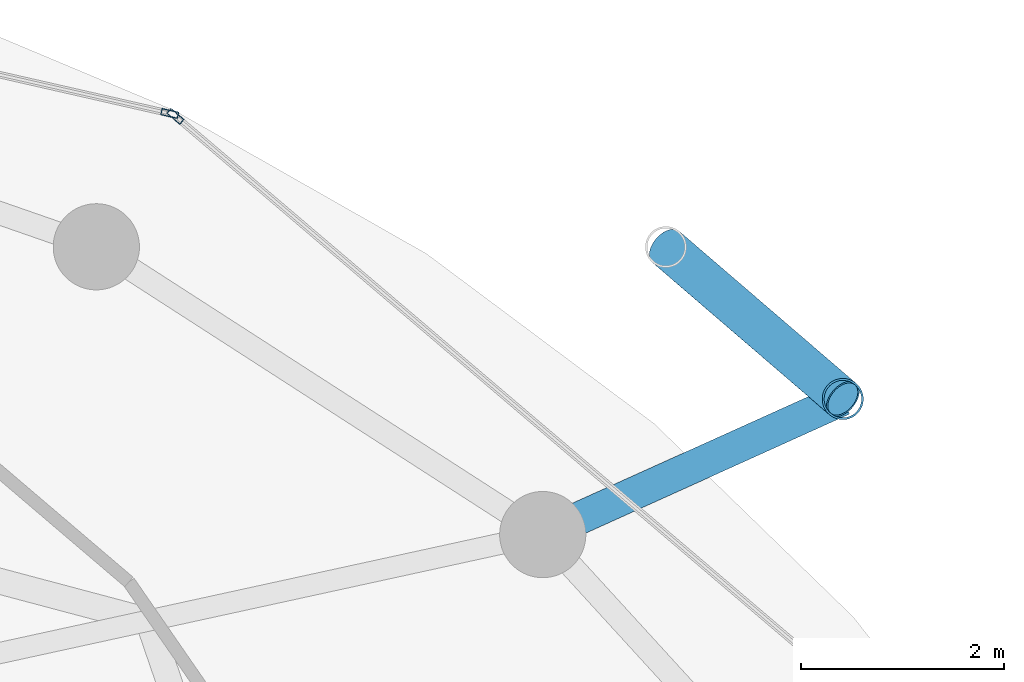
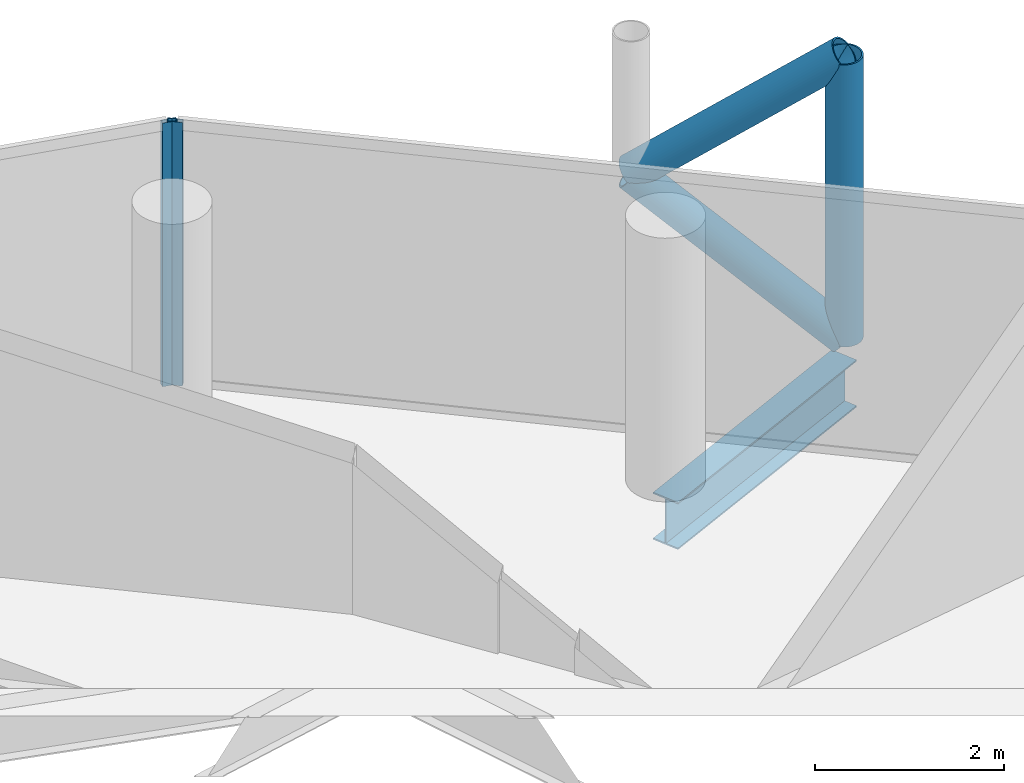
# One storey, part 21 of 27: 5 members, 1 beam, 2 elements without a shape of their own.
"""IFC4 building model written with IfcOpenShell, lengths in metres."""

import ifcopenshell
import ifcopenshell.guid

model = None  # the IFC model being written
_history = None  # IfcOwnerHistory: only IFC2X3 demands one
_inside = {}  # id of a spatial element -> (the spatial element, [elements in it])
_under = {}  # id of a project, library or spatial element -> (it, [spatial elements below it])
_declared = {}  # id of a project -> (the project, [libraries it declares])
_typed = {}  # id of a type object -> (the type object, [elements of that type])
_made_of = {}  # id of a material, layer set ... -> (it, [elements and type objects made of it])


def new_model(schema):
    """Start an empty IFC model of exactly this schema.

    Asked for "IFC4X3", IfcOpenShell would pick the latest addendum, in which some entities
    have other attributes; the version numbers below select the first issue.
    IFC2X3 requires an IfcOwnerHistory on every rooted entity: one is made here for all.
    """
    global model, _history
    if schema == "IFC4X3":
        model = ifcopenshell.file(schema_version=(4, 3, 0, 0))
    else:
        model = ifcopenshell.file(schema=schema)
    _inside.clear()
    _under.clear()
    _declared.clear()
    _typed.clear()
    _made_of.clear()
    _history = None
    if model.schema == "IFC2X3":
        org = make("IfcOrganization", Name="unknown")
        user = make(
            "IfcPersonAndOrganization",
            ThePerson=make("IfcPerson", FamilyName="unknown"),
            TheOrganization=org,
        )
        app = make(
            "IfcApplication",
            ApplicationDeveloper=org,
            Version="unknown",
            ApplicationFullName="unknown",
            ApplicationIdentifier="unknown",
        )
        _history = make(
            "IfcOwnerHistory",
            OwningUser=user,
            OwningApplication=app,
            ChangeAction="ADDED",
            CreationDate=0,
        )
    return model


def make(cls, **values):
    """One entity of the class cls with the attributes given. An attribute that is None is left unset."""
    return model.create_entity(
        cls, **{name: value for name, value in values.items() if value is not None}
    )


def rooted(cls, **values):
    """An entity with a GlobalId (a new one), such as an element, a storey or a relation."""
    return make(cls, GlobalId=ifcopenshell.guid.new(), OwnerHistory=_history, **values)


def si_unit(unit_type, name, prefix=None):
    """IfcSIUnit, for example si_unit("LENGTHUNIT", "METRE", prefix="MILLI")."""
    return make("IfcSIUnit", UnitType=unit_type, Prefix=prefix, Name=name)


def assignment(units):
    """IfcUnitAssignment: the units of a project."""
    return None if units is None else make("IfcUnitAssignment", Units=units)


def point(xyz):
    """IfcCartesianPoint."""
    return None if xyz is None else make("IfcCartesianPoint", Coordinates=xyz)


def direction(xyz):
    """IfcDirection."""
    return None if xyz is None else make("IfcDirection", DirectionRatios=xyz)


def frame(location, z_axis=None, x_axis=None):
    """IfcAxis2Placement3D, a coordinate frame: its origin and axes. An axis left out is left unset."""
    return make(
        "IfcAxis2Placement3D",
        Location=point(location),
        Axis=direction(z_axis),
        RefDirection=direction(x_axis),
    )


def frame_2d(location, x_axis=None):
    """IfcAxis2Placement2D, a coordinate frame in the plane: its origin and x axis."""
    return make(
        "IfcAxis2Placement2D", Location=point(location), RefDirection=direction(x_axis)
    )


def origin():
    """The frame at (0, 0, 0) with its axes left unset."""
    return frame((0.0, 0.0, 0.0))


def origin_2d():
    """The frame at (0, 0) in the plane with its x axis left unset."""
    return frame_2d((0.0, 0.0))


def place(relative_to, where):
    """IfcLocalPlacement: puts the frame where relative to a parent placement (None: the world)."""
    return make(
        "IfcLocalPlacement", PlacementRelTo=relative_to, RelativePlacement=where
    )


def context(
    kind, dimensions, precision=None, world=None, true_north=None, identifier=None
):
    """IfcGeometricRepresentationContext, for example the 3D "Model" context."""
    return make(
        "IfcGeometricRepresentationContext",
        ContextIdentifier=identifier,
        ContextType=kind,
        CoordinateSpaceDimension=dimensions,
        Precision=precision,
        WorldCoordinateSystem=world,
        TrueNorth=true_north,
    )


def subcontext(parent, identifier, kind, view, scale=None):
    """IfcGeometricRepresentationSubContext, for example "Body" below "Model"."""
    return make(
        "IfcGeometricRepresentationSubContext",
        ContextIdentifier=identifier,
        ContextType=kind,
        ParentContext=parent,
        TargetScale=scale,
        TargetView=view,
    )


def project(units=None, contexts=None):
    """IfcProject with its units and contexts."""
    return rooted(
        "IfcProject",
        Name="project",
        RepresentationContexts=contexts,
        UnitsInContext=assignment(units),
    )


def spatial(cls, under=None, at=None, **own):
    """A site, building, storey or space (cls), placed at a placement, below another one or the project."""
    s = rooted(cls, ObjectPlacement=at, **own)
    if under is not None:
        _under.setdefault(under.id(), (under, []))[1].append(s)
    return s


def profile(cls, at=None, kind="AREA", **sizes):
    """A parametric profile (cls). Its sizes go by their IFC names, for example OverallWidth=200.0."""
    return make(cls, ProfileType=kind, Position=at, **sizes)


def hollow_rectangle(**sizes):
    """IfcRectangleHollowProfileDef."""
    return profile("IfcRectangleHollowProfileDef", **sizes)


def hollow_circle(**sizes):
    """IfcCircleHollowProfileDef."""
    return profile("IfcCircleHollowProfileDef", **sizes)


def i_section(**sizes):
    """IfcIShapeProfileDef."""
    return profile("IfcIShapeProfileDef", **sizes)


def extrude(swept, where, along, depth):
    """IfcExtrudedAreaSolid: the profile swept, set in the frame where, extruded along a direction by depth."""
    return make(
        "IfcExtrudedAreaSolid",
        SweptArea=swept,
        Position=where,
        ExtrudedDirection=direction(along),
        Depth=depth,
    )


def shape(context_of_items, identifier, shape_type, items):
    """IfcShapeRepresentation: the items that make up one representation, for example the "Body"."""
    return make(
        "IfcShapeRepresentation",
        ContextOfItems=context_of_items,
        RepresentationIdentifier=identifier,
        RepresentationType=shape_type,
        Items=items,
    )


def material(Name=None, Category=None):
    """IfcMaterial."""
    return make("IfcMaterial", Name=Name, Category=Category)


def layer(
    of_material, thickness, ventilated=None, Name=None, Category=None, Priority=None
):
    """IfcMaterialLayer: one layer of a wall or slab, of a material (None: an air gap)."""
    return make(
        "IfcMaterialLayer",
        Material=of_material,
        LayerThickness=thickness,
        IsVentilated=ventilated,
        Name=Name,
        Category=Category,
        Priority=Priority,
    )


def layer_set(layers, Name=None):
    """IfcMaterialLayerSet."""
    return make("IfcMaterialLayerSet", MaterialLayers=layers, LayerSetName=Name)


def material_profile(
    of_material, cross_section, Name=None, Category=None, Priority=None
):
    """IfcMaterialProfile: a cross section and its material."""
    return make(
        "IfcMaterialProfile",
        Name=Name,
        Material=of_material,
        Profile=cross_section,
        Priority=Priority,
        Category=Category,
    )


def profile_set(profiles, Name=None, composite=None):
    """IfcMaterialProfileSet."""
    return make(
        "IfcMaterialProfileSet",
        Name=Name,
        MaterialProfiles=profiles,
        CompositeProfile=composite,
    )


def made_of(thing, what):
    """Note that an element or type object is made of a material, layer set ...; save() writes the relation."""
    if what is not None:
        _made_of.setdefault(what.id(), (what, []))[1].append(thing)
    return thing


def type_object(cls, material=None, **own):
    """A type object (cls), such as IfcWallType, which elements share."""
    return made_of(rooted(cls, **own), material)


def element(
    cls,
    number,
    at=None,
    inside=None,
    cuts=None,
    type_object=None,
    material=None,
    context=None,
    identifier="Body",
    shape_type=None,
    held_by="IfcProductDefinitionShape",
    body=None,
    shapes=None,
    **own,
):
    """One element of the class cls, such as IfcWall. Its Tag is "e" and its number.

    at: its placement. inside: the storey or other place that contains it. cuts: it is an
    opening in that element (IfcRelVoidsElement). A single representation is given by context,
    identifier, shape_type and body (its items); several are given by shapes. held_by: the class
    of the entity that holds the representations. save() writes the other relations.
    """
    e = rooted(cls, Tag="e%d" % number, ObjectPlacement=at, **own)
    if body is not None:
        shapes = [shape(context, identifier, shape_type, body)]
    if shapes is not None:
        e.Representation = make(held_by, Representations=shapes)
    if inside is not None:
        _inside.setdefault(inside.id(), (inside, []))[1].append(e)
    if cuts is not None:
        rooted(
            "IfcRelVoidsElement", RelatingBuildingElement=cuts, RelatedOpeningElement=e
        )
    if type_object is not None:
        _typed.setdefault(type_object.id(), (type_object, []))[1].append(e)
    return made_of(e, material)


def aggregate(whole, parts):
    """IfcRelAggregates: a whole, such as a stair, and the parts it consists of."""
    return rooted("IfcRelAggregates", RelatingObject=whole, RelatedObjects=parts)


def save(model, path):
    """Write the relations noted so far, then the file.

    IfcRelAggregates (storeys below a building ...), IfcRelContainedInSpatialStructure (elements
    in a storey), IfcRelDefinesByType, IfcRelAssociatesMaterial and IfcRelDeclares: one each for
    every whole, place, type object, material and project.
    """
    for whole, parts in _under.values():
        aggregate(whole, parts)
    for where, things in _inside.values():
        rooted(
            "IfcRelContainedInSpatialStructure",
            RelatedElements=things,
            RelatingStructure=where,
        )
    for kind, things in _typed.values():
        rooted("IfcRelDefinesByType", RelatedObjects=things, RelatingType=kind)
    for what, things in _made_of.values():
        rooted("IfcRelAssociatesMaterial", RelatedObjects=things, RelatingMaterial=what)
    for by, libraries in _declared.values():
        rooted("IfcRelDeclares", RelatingContext=by, RelatedDefinitions=libraries)
    model.write(path)


model = new_model("IFC4")

# Units and contexts
model_context = context("Model", 3, precision=1e-05, world=origin(), true_north=direction((0.0, 1.0)))
body_context = subcontext(model_context, "Body", "Model", "MODEL_VIEW")
ifc_project = project(units=[si_unit("LENGTHUNIT", "METRE"), si_unit("AREAUNIT", "SQUARE_METRE"), si_unit("VOLUMEUNIT", "CUBIC_METRE"), si_unit("PLANEANGLEUNIT", "RADIAN"), si_unit("MASSUNIT", "GRAM", prefix="KILO")], contexts=[model_context])

# Site, building, storey
site_placement = place(None, origin())
site = spatial("IfcSite", under=ifc_project, at=site_placement, CompositionType="ELEMENT")
building_placement = place(site_placement, origin())
building = spatial("IfcBuilding", under=site, at=building_placement, Name="Nuhasar Tower", CompositionType="ELEMENT")
storey_placement = place(building_placement, frame((0.0, 0.0, 233.699951171875)))
storey = spatial("IfcBuildingStorey", under=building, at=storey_placement, Name="L57", CompositionType="ELEMENT", Elevation=233.699951171875)

# Beam
ifc_material_1 = material(Name="Steel S355", Category="steel")
ifc_material_profile_1 = material_profile(ifc_material_1, i_section(OverallWidth=0.323974609375, OverallDepth=0.611083984375, WebThickness=0.0126953125, FlangeThickness=0.01904296875, at=origin_2d()), Name="W24X104")
ifc_profile_set_1 = profile_set([ifc_material_profile_1], Name="Steel S355")
beam_type = type_object("IfcBeamType", Name="BM-TIE-W24X104", PredefinedType="BEAM", material=ifc_profile_set_1)
beam_placement = place(storey_placement, frame((54.02587890625, 39.422119140625, -0.544921875), z_axis=(0.911363318082, 0.411602845538, 0.0), x_axis=(-0.411602845538, 0.911363318082, 0.0)))
element("IfcBeam", 1, at=beam_placement, inside=storey, type_object=beam_type, Name="L57 Exoskeleton Node Tie Beam 02", PredefinedType="BEAM", context=body_context, shape_type="SweptSolid", body=[
    extrude(i_section(OverallWidth=0.323974609375, OverallDepth=0.611083984375, WebThickness=0.0126953125, FlangeThickness=0.01904296875, at=origin_2d()), origin(), (0.0, 0.0, 1.0), 3.24560546875),
])

# Curtain wall, member
ifc_material_2 = material(Name="Aluminium 6063-T6", Category="aluminium")
ifc_layer = layer(ifc_material_2, 0.18994140625)
ifc_layer_set = layer_set([ifc_layer], Name="Aluminium 6063-T6")
curtain_wall_type = type_object("IfcCurtainWallType", Name="CW-Z3-RES", PredefinedType="NOTDEFINED", material=ifc_layer_set)
curtain_wall_1_placement = place(storey_placement, origin())
curtain_wall_1 = element("IfcCurtainWall", 2, at=curtain_wall_1_placement, inside=storey, type_object=curtain_wall_type, Name="L57 Unitised Curtain Wall 02", PredefinedType="NOTDEFINED")
ifc_material_profile_2 = material_profile(ifc_material_2, hollow_rectangle(XDim=0.06494140625, YDim=0.169921875, WallThickness=0.0048828125, at=origin_2d()), Name="CWM-4")
ifc_profile_set_2 = profile_set([ifc_material_profile_2], Name="Aluminium 6063-T6")
member_type_1 = type_object("IfcMemberType", Name="CW-MUL-S4", PredefinedType="MULLION", material=ifc_profile_set_2)
member_1_placement = place(storey_placement, frame((50.40478515625, 43.544921875, 0.0), z_axis=(0.0, 0.0, 1.0), x_axis=(-0.64789521578, -0.761729472562, 0.0)))
member_1 = element("IfcMember", 3, at=member_1_placement, type_object=member_type_1, Name="CW-Z3 mullion 2", PredefinedType="MULLION", context=body_context, shape_type="SweptSolid", body=[
    extrude(hollow_rectangle(XDim=0.06494140625, YDim=0.169921875, WallThickness=0.0048828125, at=origin_2d()), origin(), (0.0, 0.0, 1.0), 3.41015625),
])
aggregate(curtain_wall_1, [member_1])

curtain_wall_2_placement = place(storey_placement, origin())
curtain_wall_2 = element("IfcCurtainWall", 4, at=curtain_wall_2_placement, inside=storey, type_object=curtain_wall_type, Name="L57 Unitised Curtain Wall 03", PredefinedType="NOTDEFINED")
member_2_placement = place(storey_placement, frame((50.348388671875, 43.5732421875, 0.0), z_axis=(0.0, 0.0, 1.0), x_axis=(-0.222243176313, -0.974991266926, 0.0)))
member_2 = element("IfcMember", 5, at=member_2_placement, type_object=member_type_1, Name="CW-Z3 mullion 1", PredefinedType="MULLION", context=body_context, shape_type="SweptSolid", body=[
    extrude(hollow_rectangle(XDim=0.06494140625, YDim=0.169921875, WallThickness=0.0048828125, at=origin_2d()), origin(), (0.0, 0.0, 1.0), 3.41015625),
])
aggregate(curtain_wall_2, [member_2])

# Members
ifc_material_3 = material(Name="Steel S460", Category="steel")
ifc_material_profile_3 = material_profile(ifc_material_3, hollow_circle(Radius=0.203125, WallThickness=0.01904296875, at=origin_2d()), Name="HSS406.4X19.1")
ifc_profile_set_3 = profile_set([ifc_material_profile_3], Name="Steel S460")
member_type_2 = type_object("IfcMemberType", Name="EXO-BRONZE-406", PredefinedType="BRACE", material=ifc_profile_set_3)
member_3_placement = place(storey_placement, frame((56.98388671875, 40.758056640625, 0.0), z_axis=(0.0, 0.0, 1.0), x_axis=(1.0, 0.0, 0.0)))
element("IfcMember", 6, at=member_3_placement, inside=storey, type_object=member_type_2, Name="L57 Exoskeleton Chord Column EC-02A", PredefinedType="BRACE", context=body_context, shape_type="SweptSolid", body=[
    extrude(hollow_circle(Radius=0.203125, WallThickness=0.01904296875, at=origin_2d()), origin(), (0.0, 0.0, 1.0), 3.650146484375),
])
for number, where, z_axis, x_axis, name in (
    (7, (56.98388671875, 40.758056640625, 0.0), (-0.594018535389, 0.510608120858, 0.621627964725), (-0.65185738425, -0.758341579104, 0.0), "L57 Bronze Diagrid Brace W1-02"),
    (8, (55.239990234375, 42.257080078125, 1.824951171875), (0.593987827832, -0.51058172517, 0.621678986543), (0.65185738425, 0.758341579104, 0.0), "L57 Bronze Diagrid Brace W2-02"),
):
    element("IfcMember", number, at=place(storey_placement, frame(where, z_axis=z_axis, x_axis=x_axis)), inside=storey, type_object=member_type_2, Name=name, PredefinedType="BRACE", context=body_context, shape_type="SweptSolid", body=[
        extrude(hollow_circle(Radius=0.203125, WallThickness=0.01904296875, at=origin_2d()), origin(), (0.0, 0.0, 1.0), 2.935791015625),
    ])

save(model, "model.ifc")
